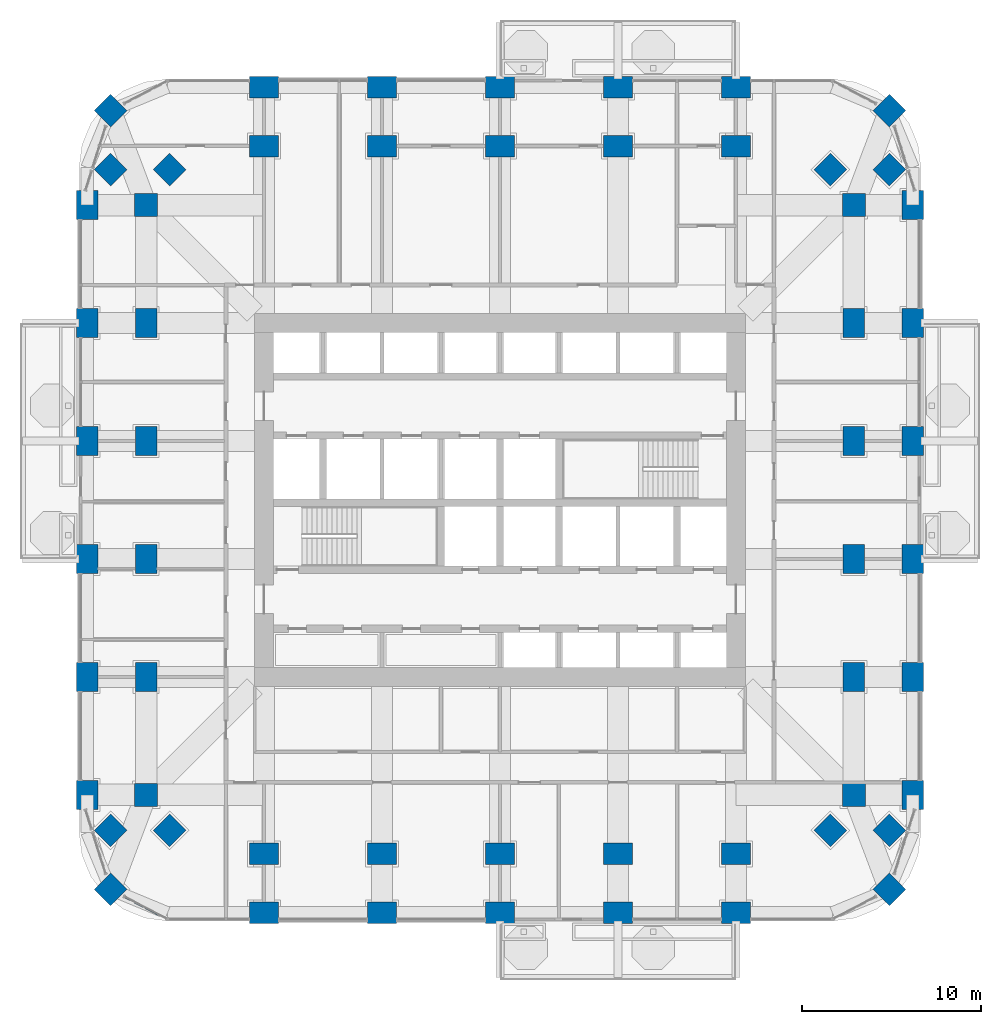
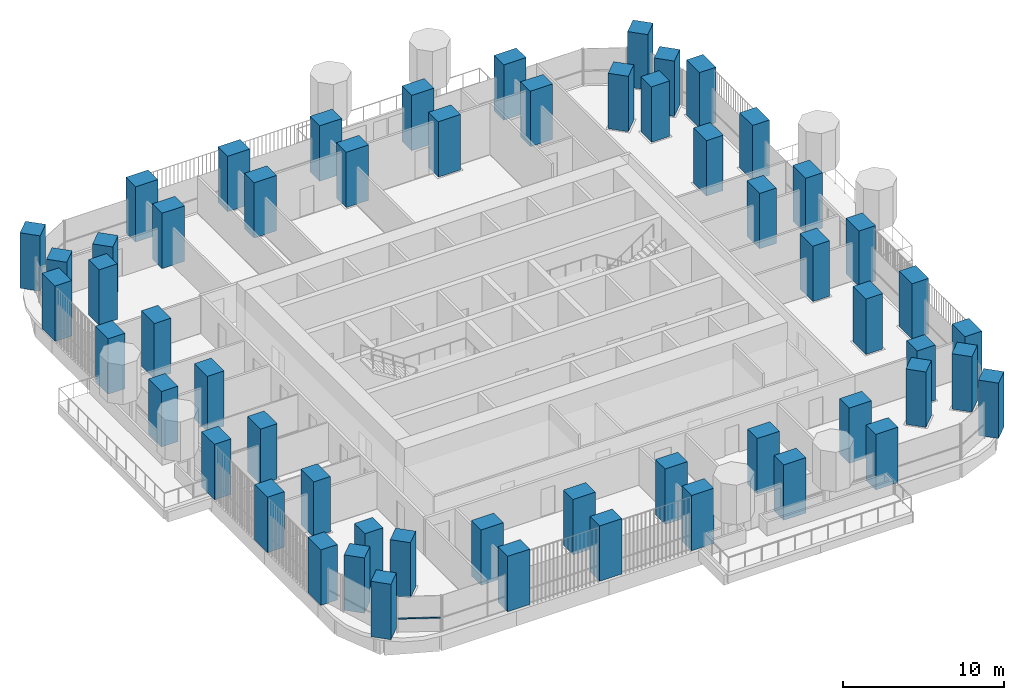
# One storey, part 1 of 23: 56 columns, 1 member, 1 element without a shape of its own.
"""IFC4 building model written with IfcOpenShell, lengths in metres."""

from ifc_helpers import new_model, si_unit, direction, frame, origin, origin_2d, place, context, subcontext, project, spatial, rectangle, extrude, material, material_profile, profile_set, type_object, element, aggregate, save


model = new_model("IFC4")

# Units and contexts
model_context = context("Model", 3, precision=1e-05, world=origin(), true_north=direction((0.0, 1.0)))
body_context = subcontext(model_context, "Body", "Model", "MODEL_VIEW")
ifc_project = project(units=[si_unit("LENGTHUNIT", "METRE"), si_unit("AREAUNIT", "SQUARE_METRE"), si_unit("VOLUMEUNIT", "CUBIC_METRE"), si_unit("PLANEANGLEUNIT", "RADIAN"), si_unit("MASSUNIT", "GRAM", prefix="KILO")], contexts=[model_context])

# Site, building, storey
site_placement = place(None, origin())
site = spatial("IfcSite", under=ifc_project, at=site_placement, CompositionType="ELEMENT")
building_placement = place(site_placement, origin())
building = spatial("IfcBuilding", under=site, at=building_placement, Name="Cobogo Forest Laboratory Tower", CompositionType="ELEMENT")
storey_placement = place(building_placement, frame((0.0, 0.0, 103.199951171875)))
storey = spatial("IfcBuildingStorey", under=building, at=storey_placement, Name="L23", CompositionType="ELEMENT", Elevation=103.199951171875)

# Columns
ifc_material_1 = material(Name="Concrete HA-50 (C50/60)", Category="concrete")
ifc_material_profile_1 = material_profile(ifc_material_1, rectangle(XDim=1.60009765625, YDim=1.199951171875, at=origin_2d()), Name="RC 1200x1600")
ifc_profile_set_1 = profile_set([ifc_material_profile_1], Name="Concrete HA-50 (C50/60)")
column_type_1 = type_object("IfcColumnType", Name="Blade column 1200x1600", PredefinedType="COLUMN", material=ifc_profile_set_1)
for number, where, z_axis, x_axis, name in (
    (1, (13.199951171875, 0.0, 0.0), (0.0, 0.0, 1.0), (1.0, 0.0, 0.0), "Column 3-A L23"),
    (2, (19.800048828125, 0.0, 0.0), (0.0, 0.0, 1.0), (1.0, 0.0, 0.0), "Column 4-A L23"),
    (3, (26.39990234375, 0.0, 0.0), (0.0, 0.0, 1.0), (1.0, 0.0, 0.0), "Column 5-A L23"),
    (4, (33.0, 0.0, 0.0), (0.0, 0.0, 1.0), (1.0, 0.0, 0.0), "Column 6-A L23"),
    (5, (39.60009765625, 0.0, 0.0), (0.0, 0.0, 1.0), (1.0, 0.0, 0.0), "Column 7-A L23"),
    (6, (3.300048828125, 6.60009765625, 0.0), (0.0, 0.0, 1.0), (0.0, 1.0, 0.0), "Column 1.1-B L23"),
    (7, (49.5, 6.60009765625, 0.0), (0.0, 0.0, 1.0), (0.0, 1.0, 0.0), "Column 8.1-B L23"),
    (8, (3.300048828125, 13.199951171875, 0.0), (0.0, 0.0, 1.0), (0.0, 1.0, 0.0), "Column 1.1-C L23"),
    (9, (49.5, 13.199951171875, 0.0), (0.0, 0.0, 1.0), (0.0, 1.0, 0.0), "Column 8.1-C L23"),
    (10, (3.300048828125, 19.800048828125, 0.0), (0.0, 0.0, 1.0), (0.0, 1.0, 0.0), "Column 1.1-D L23"),
    (11, (49.5, 19.800048828125, 0.0), (0.0, 0.0, 1.0), (0.0, 1.0, 0.0), "Column 8.1-D L23"),
    (12, (3.300048828125, 26.39990234375, 0.0), (0.0, 0.0, 1.0), (0.0, 1.0, 0.0), "Column 1.1-E L23"),
    (13, (49.5, 26.39990234375, 0.0), (0.0, 0.0, 1.0), (0.0, 1.0, 0.0), "Column 8.1-E L23"),
    (14, (3.300048828125, 33.0, 0.0), (0.0, 0.0, 1.0), (0.0, 1.0, 0.0), "Column 1.1-F L23"),
    (15, (49.5, 33.0, 0.0), (0.0, 0.0, 1.0), (0.0, 1.0, 0.0), "Column 8.1-F L23"),
    (16, (3.300048828125, 39.60009765625, 0.0), (0.0, 0.0, 1.0), (0.0, 1.0, 0.0), "Column 1.1-G L23"),
    (17, (49.5, 39.60009765625, 0.0), (0.0, 0.0, 1.0), (0.0, 1.0, 0.0), "Column 8.1-G L23"),
    (18, (13.199951171875, 46.199951171875, 0.0), (0.0, 0.0, 1.0), (1.0, 0.0, 0.0), "Column 3-H L23"),
    (19, (19.800048828125, 46.199951171875, 0.0), (0.0, 0.0, 1.0), (1.0, 0.0, 0.0), "Column 4-H L23"),
    (20, (26.39990234375, 46.199951171875, 0.0), (0.0, 0.0, 1.0), (1.0, 0.0, 0.0), "Column 5-H L23"),
    (21, (33.0, 46.199951171875, 0.0), (0.0, 0.0, 1.0), (1.0, 0.0, 0.0), "Column 6-H L23"),
    (22, (39.60009765625, 46.199951171875, 0.0), (0.0, 0.0, 1.0), (1.0, 0.0, 0.0), "Column 7-H L23"),
    (23, (13.199951171875, 3.300048828125, 0.0), (0.0, 0.0, 1.0), (1.0, 0.0, 0.0), "Column 3-A.1-C L23"),
    (24, (19.800048828125, 3.300048828125, 0.0), (0.0, 0.0, 1.0), (1.0, 0.0, 0.0), "Column 4-A.1-C L23"),
    (25, (26.39990234375, 3.300048828125, 0.0), (0.0, 0.0, 1.0), (1.0, 0.0, 0.0), "Column 5-A.1-C L23"),
    (26, (33.0, 3.300048828125, 0.0), (0.0, 0.0, 1.0), (1.0, 0.0, 0.0), "Column 6-A.1-C L23"),
    (27, (39.60009765625, 3.300048828125, 0.0), (0.0, 0.0, 1.0), (1.0, 0.0, 0.0), "Column 7-A.1-C L23"),
    (28, (13.199951171875, 42.89990234375, 0.0), (0.0, 0.0, 1.0), (1.0, 0.0, 0.0), "Column 3-G.1-C L23"),
    (29, (19.800048828125, 42.89990234375, 0.0), (0.0, 0.0, 1.0), (1.0, 0.0, 0.0), "Column 4-G.1-C L23"),
    (30, (26.39990234375, 42.89990234375, 0.0), (0.0, 0.0, 1.0), (1.0, 0.0, 0.0), "Column 5-G.1-C L23"),
    (31, (33.0, 42.89990234375, 0.0), (0.0, 0.0, 1.0), (1.0, 0.0, 0.0), "Column 6-G.1-C L23"),
    (32, (39.60009765625, 42.89990234375, 0.0), (0.0, 0.0, 1.0), (1.0, 0.0, 0.0), "Column 7-G.1-C L23"),
    (33, (6.60009765625, 13.199951171875, 0.0), (0.0, 0.0, 1.0), (0.0, 1.0, 0.0), "Column 2-C-D L23"),
    (34, (46.199951171875, 13.199951171875, 0.0), (0.0, 0.0, 1.0), (0.0, 1.0, 0.0), "Column 8-C-D L23"),
    (35, (6.60009765625, 19.800048828125, 0.0), (0.0, 0.0, 1.0), (0.0, 1.0, 0.0), "Column 2-D-D L23"),
    (36, (46.199951171875, 19.800048828125, 0.0), (0.0, 0.0, 1.0), (0.0, 1.0, 0.0), "Column 8-D-D L23"),
    (37, (6.60009765625, 26.39990234375, 0.0), (0.0, 0.0, 1.0), (0.0, 1.0, 0.0), "Column 2-E-D L23"),
    (38, (46.199951171875, 26.39990234375, 0.0), (0.0, 0.0, 1.0), (0.0, 1.0, 0.0), "Column 8-E-D L23"),
    (39, (6.60009765625, 33.0, 0.0), (0.0, 0.0, 1.0), (0.0, 1.0, 0.0), "Column 2-F-D L23"),
    (40, (46.199951171875, 33.0, 0.0), (0.0, 0.0, 1.0), (0.0, 1.0, 0.0), "Column 8-F-D L23"),
):
    element("IfcColumn", number, at=place(storey_placement, frame(where, z_axis=z_axis, x_axis=x_axis)), inside=storey, type_object=column_type_1, Name=name, PredefinedType="COLUMN", context=body_context, shape_type="SweptSolid", body=[
        extrude(rectangle(XDim=1.60009765625, YDim=1.199951171875, at=origin_2d()), origin(), (0.0, 0.0, 1.0), 4.199951171875),
    ])
ifc_material_profile_2 = material_profile(ifc_material_1, rectangle(XDim=1.300048828125, YDim=1.300048828125, at=origin_2d()), Name="RC 1300x1300")
ifc_profile_set_2 = profile_set([ifc_material_profile_2], Name="Concrete HA-50 (C50/60)")
column_type_2 = type_object("IfcColumnType", Name="Column 1300x1300", PredefinedType="COLUMN", material=ifc_profile_set_2)
for number, where, z_axis, x_axis, name in (
    (41, (4.617919921875, 1.318115234375, 0.0), (0.0, 0.0, 1.0), (0.707106781187, 0.707106781187, 0.0), "Column CNR-SW L23"),
    (42, (48.181884765625, 1.318115234375, 0.0), (0.0, 0.0, 1.0), (0.707106781187, 0.707106781187, 0.0), "Column CNR-SE L23"),
    (43, (4.617919921875, 44.882080078125, 0.0), (0.0, 0.0, 1.0), (0.707106781187, 0.707106781187, 0.0), "Column CNR-NW L23"),
    (44, (48.181884765625, 44.882080078125, 0.0), (0.0, 0.0, 1.0), (0.707106781187, 0.707106781187, 0.0), "Column CNR-NE L23"),
    (45, (6.60009765625, 6.60009765625, 0.0), (0.0, 0.0, 1.0), (1.0, 0.0, 0.0), "Column 2-B L23"),
    (46, (46.199951171875, 6.60009765625, 0.0), (0.0, 0.0, 1.0), (1.0, 0.0, 0.0), "Column 8-B L23"),
    (47, (6.60009765625, 39.60009765625, 0.0), (0.0, 0.0, 1.0), (1.0, 0.0, 0.0), "Column 2-G L23"),
    (48, (46.199951171875, 39.60009765625, 0.0), (0.0, 0.0, 1.0), (1.0, 0.0, 0.0), "Column 8-G L23"),
    (49, (4.617919921875, 4.617919921875, 0.0), (0.0, 0.0, 1.0), (0.707106781187, 0.707106781187, 0.0), "Column CNR-SW-C L23"),
    (50, (48.181884765625, 4.617919921875, 0.0), (0.0, 0.0, 1.0), (0.707106781187, 0.707106781187, 0.0), "Column CNR-SE-C L23"),
    (51, (4.617919921875, 41.58203125, 0.0), (0.0, 0.0, 1.0), (0.707106781187, 0.707106781187, 0.0), "Column CNR-NW-C L23"),
    (52, (48.181884765625, 41.58203125, 0.0), (0.0, 0.0, 1.0), (0.707106781187, 0.707106781187, 0.0), "Column CNR-NE-C L23"),
    (53, (7.91796875, 4.617919921875, 0.0), (0.0, 0.0, 1.0), (0.707106781187, 0.707106781187, 0.0), "Column CNR-SW-D L23"),
    (54, (44.882080078125, 4.617919921875, 0.0), (0.0, 0.0, 1.0), (0.707106781187, 0.707106781187, 0.0), "Column CNR-SE-D L23"),
    (55, (7.91796875, 41.58203125, 0.0), (0.0, 0.0, 1.0), (0.707106781187, 0.707106781187, 0.0), "Column CNR-NW-D L23"),
    (56, (44.882080078125, 41.58203125, 0.0), (0.0, 0.0, 1.0), (0.707106781187, 0.707106781187, 0.0), "Column CNR-NE-D L23"),
):
    element("IfcColumn", number, at=place(storey_placement, frame(where, z_axis=z_axis, x_axis=x_axis)), inside=storey, type_object=column_type_2, Name=name, PredefinedType="COLUMN", context=body_context, shape_type="SweptSolid", body=[
        extrude(rectangle(XDim=1.300048828125, YDim=1.300048828125, at=origin_2d()), origin(), (0.0, 0.0, 1.0), 4.199951171875),
    ])

# Curtain wall, member
ifc_material_2 = material(Name="Aluminium curtain wall", Category="aluminium")
curtain_wall_type = type_object("IfcCurtainWallType", Name="CW-1 unitised curtain wall, clear glazing, laboratory floors zones A and B", PredefinedType="USERDEFINED", material=ifc_material_2)
curtain_wall_placement = place(storey_placement, origin())
curtain_wall = element("IfcCurtainWall", 57, at=curtain_wall_placement, inside=storey, type_object=curtain_wall_type, Name="Curtain wall 34 L23", ObjectType="UNITISED CURTAIN WALL", PredefinedType="USERDEFINED")
ifc_material_3 = material(Name="Aluminium transom", Category="aluminium")
ifc_material_profile_3 = material_profile(ifc_material_3, rectangle(XDim=0.1201171875, YDim=0.06005859375, at=origin_2d()), Name="AL 60x120")
ifc_profile_set_3 = profile_set([ifc_material_profile_3], Name="Aluminium transom")
member_type = type_object("IfcMemberType", Name="TR-1 aluminium transom 60x120", PredefinedType="USERDEFINED", material=ifc_profile_set_3)
member_placement = place(storey_placement, frame((5.394775390625, 0.910888671875, 1.050048828125), z_axis=(0.885694740493, -0.464268054753, 0.0), x_axis=(0.464268054753, 0.885694740493, 0.0)))
member = element("IfcMember", 58, at=member_placement, type_object=member_type, Name="CW-1 transom 1.1", ObjectType="TRANSOM", PredefinedType="USERDEFINED", context=body_context, shape_type="SweptSolid", body=[
    extrude(rectangle(XDim=0.1201171875, YDim=0.06005859375, at=origin_2d()), origin(), (0.0, 0.0, 1.0), 2.655517578125),
])
aggregate(curtain_wall, [member])

save(model, "model.ifc")
